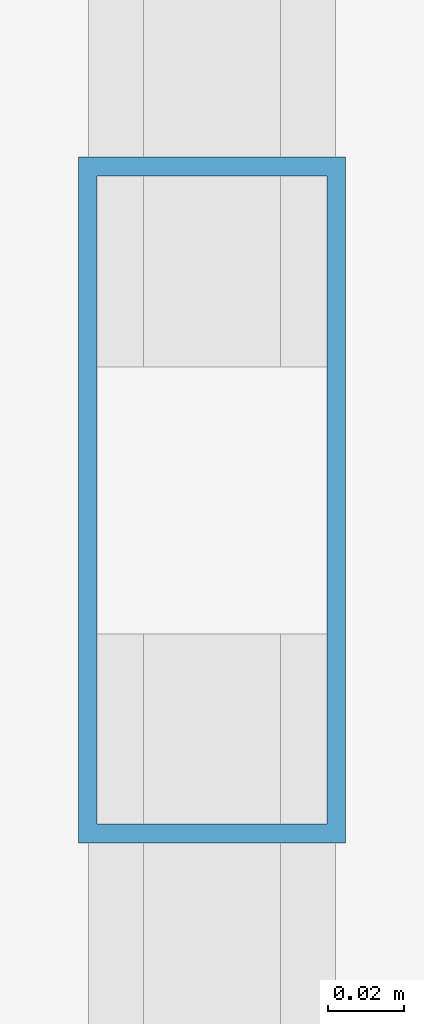
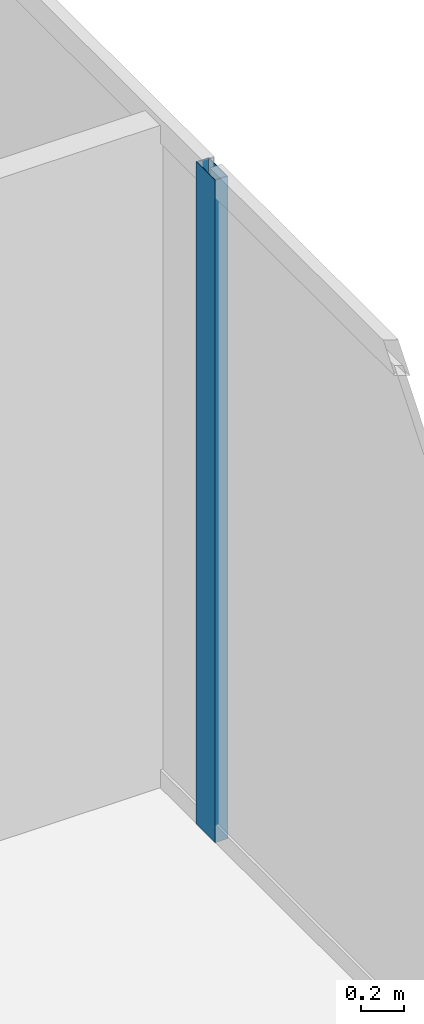
# One storey, part 24 of 34: 1 member, 1 element without a shape of its own.
"""IFC4 building model written with IfcOpenShell, lengths in metres."""

from ifc_helpers import new_model, si_unit, direction, frame, origin, origin_2d, place, context, subcontext, project, spatial, hollow_rectangle, extrude, source, transform, mapped, material, layer, layer_set, material_profile, profile_set, type_object, type_shapes, element, aggregate, save


model = new_model("IFC4")

# Units and contexts
model_context = context("Model", 3, precision=1e-05, world=origin(), true_north=direction((0.0, 1.0)))
body_context = subcontext(model_context, "Body", "Model", "MODEL_VIEW")
ifc_project = project(units=[si_unit("LENGTHUNIT", "METRE"), si_unit("AREAUNIT", "SQUARE_METRE"), si_unit("VOLUMEUNIT", "CUBIC_METRE"), si_unit("PLANEANGLEUNIT", "RADIAN"), si_unit("MASSUNIT", "GRAM", prefix="KILO")], contexts=[model_context])

# Site, building, storey
site_placement = place(None, origin())
site = spatial("IfcSite", under=ifc_project, at=site_placement, CompositionType="ELEMENT")
building_placement = place(site_placement, origin())
building = spatial("IfcBuilding", under=site, at=building_placement, Name="Haelvirn Gate Laboratories", CompositionType="ELEMENT")
storey_placement = place(building_placement, frame((0.0, 0.0, 246.5)))
storey = spatial("IfcBuildingStorey", under=building, at=storey_placement, Name="L59", CompositionType="ELEMENT", Elevation=246.5)

# Curtain wall, member
ifc_material_1 = material(Name="Anodised bronze unitised aluminium & triple low-E glass", Category="aluminium")
ifc_layer = layer(ifc_material_1, 0.176025390625, Name="CW-SYS-4")
ifc_layer_set = layer_set([ifc_layer], Name="Anodised bronze unitised aluminium & triple low-E glass")
curtain_wall_type = type_object("IfcCurtainWallType", Name="CW-SYS-4", PredefinedType="NOTDEFINED", material=ifc_layer_set)
curtain_wall_placement = place(storey_placement, origin())
curtain_wall = element("IfcCurtainWall", 1, at=curtain_wall_placement, inside=storey, type_object=curtain_wall_type, Name="L59 Unitised Curtain Wall CW-L59-P0-E07", PredefinedType="NOTDEFINED")
ifc_material_2 = material(Name="Extruded aluminium 6063-T6 (anodised bronze)", Category="aluminium")
ifc_material_profile = material_profile(ifc_material_2, hollow_rectangle(XDim=0.070068359375, YDim=0.179931640625, WallThickness=0.0048828125, at=origin_2d()), Name="CWM-180x70x5")
ifc_profile_set = profile_set([ifc_material_profile], Name="Extruded aluminium 6063-T6 (anodised bronze)")
member_type = type_object("IfcMemberType", Name="CWM-T180", PredefinedType="MULLION", material=ifc_profile_set)
shared_shape = source(origin(), body_context, "Body", "SweptSolid", [
    extrude(hollow_rectangle(XDim=0.070068359375, YDim=0.179931640625, WallThickness=0.0048828125, at=origin_2d()), origin(), (0.0, 0.0, 1.0), 3.800048828125),
])
type_shapes(member_type, [shared_shape])
member_placement = place(storey_placement, frame((70.699951171875, 24.300048828125, 0.0), z_axis=(0.0, 0.0, 1.0), x_axis=(-1.0, 0.0, 0.0)))
member = element("IfcMember", 2, at=member_placement, type_object=member_type, Name="CW4 mullion 2", PredefinedType="MULLION", context=body_context, shape_type="MappedRepresentation", body=[
    mapped(shared_shape, transform((0.0, 0.0, 0.0), scale=1.0)),
])
aggregate(curtain_wall, [member])

save(model, "model.ifc")
